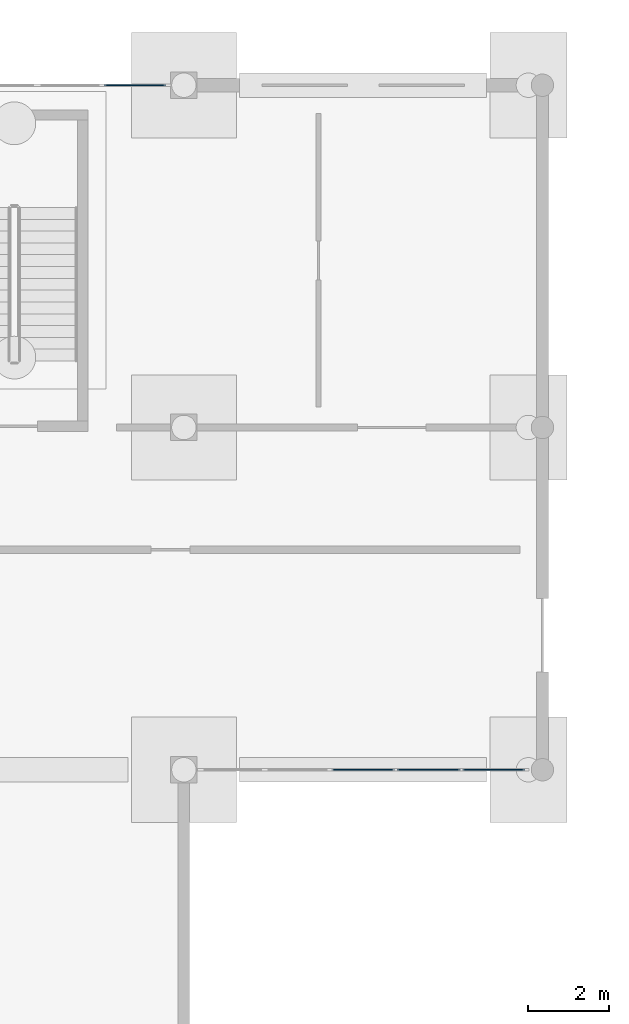
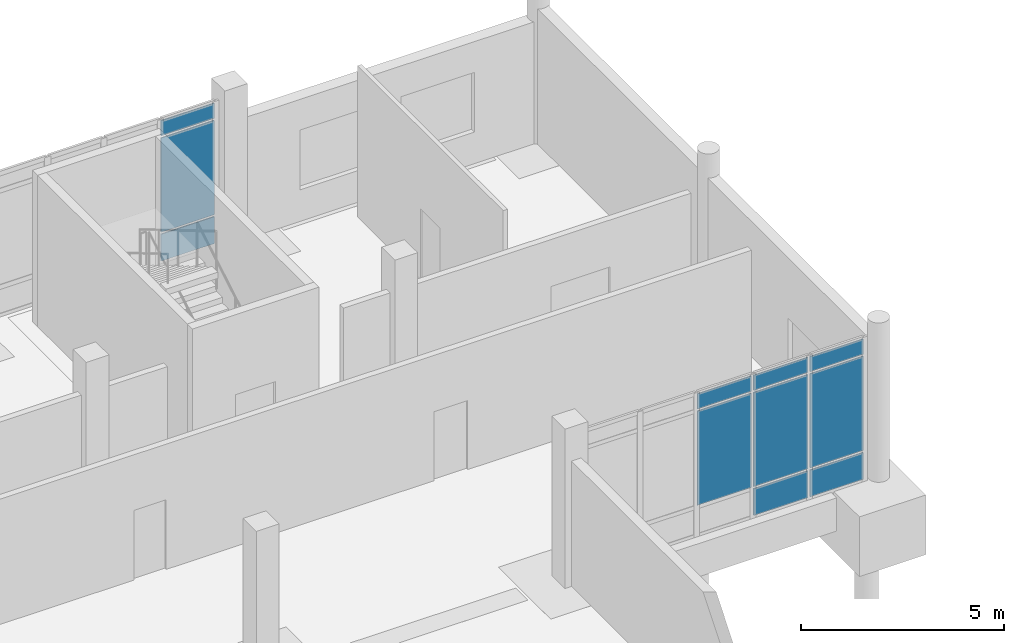
# One storey, part 40 of 72: 11 plates, 2 elements without a shape of their own.
"""IFC4 building model written with IfcOpenShell, lengths in metres."""

from ifc_helpers import new_model, si_unit, direction, frame, origin, origin_2d, place, context, subcontext, project, spatial, rectangle, extrude, material, layer, layer_set, type_object, element, aggregate, save


model = new_model("IFC4")

# Units and contexts
model_context = context("Model", 3, precision=1e-05, world=origin(), true_north=direction((0.0, 1.0)))
body_context = subcontext(model_context, "Body", "Model", "MODEL_VIEW")
ifc_project = project(units=[si_unit("LENGTHUNIT", "METRE"), si_unit("AREAUNIT", "SQUARE_METRE"), si_unit("VOLUMEUNIT", "CUBIC_METRE"), si_unit("PLANEANGLEUNIT", "RADIAN"), si_unit("MASSUNIT", "GRAM", prefix="KILO")], contexts=[model_context])

# Site, building, storey
site_placement = place(None, origin())
site = spatial("IfcSite", under=ifc_project, at=site_placement, CompositionType="ELEMENT")
building_placement = place(site_placement, origin())
building = spatial("IfcBuilding", under=site, at=building_placement, Name="Cinderway Yard Community Centre", CompositionType="ELEMENT")
storey_placement = place(building_placement, origin())
storey = spatial("IfcBuildingStorey", under=building, at=storey_placement, Name="L00", CompositionType="ELEMENT", Elevation=0.0)

# Curtain wall, plates
ifc_material_1 = material(Name="Aluminium 6063-T6", Category="aluminium")
curtain_wall_type = type_object("IfcCurtainWallType", Name="ENV-CW-TYPE-25", PredefinedType="USERDEFINED", material=ifc_material_1)
curtain_wall_1_placement = place(storey_placement, origin())
curtain_wall_1 = element("IfcCurtainWall", 1, at=curtain_wall_1_placement, inside=storey, type_object=curtain_wall_type, Name="V4 Courtyard Curtain Wall ENV-CW-L00-ST-0121", ObjectType="GLAZED CURTAIN WALL", PredefinedType="USERDEFINED")
ifc_material_2 = material(Name="Laminated Low-E Glass", Category="glass")
ifc_layer_1 = layer(ifc_material_2, 0.028076171875, Name="Laminated Low-E Glass")
ifc_layer_set_1 = layer_set([ifc_layer_1], Name="Laminated Low-E Glass")
plate_type_1 = type_object("IfcPlateType", Name="ENV-CW-PAN-IGU28", PredefinedType="CURTAIN_PANEL", material=ifc_layer_set_1)
plate_1_placement = place(storey_placement, frame((141.199951171875, 98.39990234375, 0.93017578125), z_axis=(0.0, 0.0, 1.0), x_axis=(1.0, 0.0, 0.0)))
plate_1 = element("IfcPlate", 2, at=plate_1_placement, type_object=plate_type_1, Name="CW-25 panel 3.2", PredefinedType="CURTAIN_PANEL", context=body_context, shape_type="SweptSolid", body=[
    extrude(rectangle(XDim=1.548095703125, YDim=0.028076171875, at=origin_2d()), origin(), (0.0, 0.0, 1.0), 2.840087890625),
])
plate_2_placement = place(storey_placement, frame((141.199951171875, 98.39990234375, 3.830078125), z_axis=(0.0, 0.0, 1.0), x_axis=(1.0, 0.0, 0.0)))
plate_2 = element("IfcPlate", 3, at=plate_2_placement, type_object=plate_type_1, Name="CW-25 panel 3.3", PredefinedType="CURTAIN_PANEL", context=body_context, shape_type="SweptSolid", body=[
    extrude(rectangle(XDim=1.548095703125, YDim=0.028076171875, at=origin_2d()), origin(), (0.0, 0.0, 1.0), 0.4599609375),
])
plate_3_placement = place(storey_placement, frame((142.80810546875, 98.39990234375, 0.06005859375), z_axis=(0.0, 0.0, 1.0), x_axis=(1.0, 0.0, 0.0)))
plate_3 = element("IfcPlate", 4, at=plate_3_placement, type_object=plate_type_1, Name="CW-25 panel 4.1", PredefinedType="CURTAIN_PANEL", context=body_context, shape_type="SweptSolid", body=[
    extrude(rectangle(XDim=1.548095703125, YDim=0.028076171875, at=origin_2d()), origin(), (0.0, 0.0, 1.0), 0.81005859375),
])
plate_4_placement = place(storey_placement, frame((142.80810546875, 98.39990234375, 0.93017578125), z_axis=(0.0, 0.0, 1.0), x_axis=(1.0, 0.0, 0.0)))
plate_4 = element("IfcPlate", 5, at=plate_4_placement, type_object=plate_type_1, Name="CW-25 panel 4.2", PredefinedType="CURTAIN_PANEL", context=body_context, shape_type="SweptSolid", body=[
    extrude(rectangle(XDim=1.548095703125, YDim=0.028076171875, at=origin_2d()), origin(), (0.0, 0.0, 1.0), 2.840087890625),
])
plate_5_placement = place(storey_placement, frame((142.80810546875, 98.39990234375, 3.830078125), z_axis=(0.0, 0.0, 1.0), x_axis=(1.0, 0.0, 0.0)))
plate_5 = element("IfcPlate", 6, at=plate_5_placement, type_object=plate_type_1, Name="CW-25 panel 4.3", PredefinedType="CURTAIN_PANEL", context=body_context, shape_type="SweptSolid", body=[
    extrude(rectangle(XDim=1.548095703125, YDim=0.028076171875, at=origin_2d()), origin(), (0.0, 0.0, 1.0), 0.4599609375),
])
plate_6_placement = place(storey_placement, frame((144.40087890625, 98.39990234375, 0.06005859375), z_axis=(0.0, 0.0, 1.0), x_axis=(1.0, 0.0, 0.0)))
plate_6 = element("IfcPlate", 7, at=plate_6_placement, type_object=plate_type_1, Name="CW-25 panel 5.1", PredefinedType="CURTAIN_PANEL", context=body_context, shape_type="SweptSolid", body=[
    extrude(rectangle(XDim=1.51806640625, YDim=0.028076171875, at=origin_2d()), origin(), (0.0, 0.0, 1.0), 0.81005859375),
])
plate_7_placement = place(storey_placement, frame((144.40087890625, 98.39990234375, 0.93017578125), z_axis=(0.0, 0.0, 1.0), x_axis=(1.0, 0.0, 0.0)))
plate_7 = element("IfcPlate", 8, at=plate_7_placement, type_object=plate_type_1, Name="CW-25 panel 5.2", PredefinedType="CURTAIN_PANEL", context=body_context, shape_type="SweptSolid", body=[
    extrude(rectangle(XDim=1.51806640625, YDim=0.028076171875, at=origin_2d()), origin(), (0.0, 0.0, 1.0), 2.840087890625),
])
plate_8_placement = place(storey_placement, frame((144.40087890625, 98.39990234375, 3.830078125), z_axis=(0.0, 0.0, 1.0), x_axis=(1.0, 0.0, 0.0)))
plate_8 = element("IfcPlate", 9, at=plate_8_placement, type_object=plate_type_1, Name="CW-25 panel 5.3", PredefinedType="CURTAIN_PANEL", context=body_context, shape_type="SweptSolid", body=[
    extrude(rectangle(XDim=1.51806640625, YDim=0.028076171875, at=origin_2d()), origin(), (0.0, 0.0, 1.0), 0.4599609375),
])
aggregate(curtain_wall_1, [plate_1, plate_2, plate_3, plate_4, plate_5, plate_6, plate_7, plate_8])

curtain_wall_2_placement = place(storey_placement, origin())
curtain_wall_2 = element("IfcCurtainWall", 10, at=curtain_wall_2_placement, inside=storey, type_object=curtain_wall_type, Name="V4 Street Curtain Wall ENV-CW-L00-HS-0120", ObjectType="GLAZED CURTAIN WALL", PredefinedType="USERDEFINED")
ifc_layer_2 = layer(ifc_material_2, 0.031982421875, Name="Laminated Low-E Glass")
ifc_layer_set_2 = layer_set([ifc_layer_2], Name="Laminated Low-E Glass")
plate_type_2 = type_object("IfcPlateType", Name="ENV-CW-PAN-IGU32", PredefinedType="CURTAIN_PANEL", material=ifc_layer_set_2)
plate_9_placement = place(storey_placement, frame((135.60107421875, 115.199951171875, 0.06005859375), z_axis=(0.0, 0.0, 1.0), x_axis=(1.0, 0.0, 0.0)))
plate_9 = element("IfcPlate", 11, at=plate_9_placement, type_object=plate_type_2, Name="CW-25 panel 5.1", PredefinedType="CURTAIN_PANEL", context=body_context, shape_type="SweptSolid", body=[
    extrude(rectangle(XDim=1.51806640625, YDim=0.028076171875, at=origin_2d()), origin(), (0.0, 0.0, 1.0), 0.81005859375),
])
plate_10_placement = place(storey_placement, frame((135.60107421875, 115.199951171875, 0.93017578125), z_axis=(0.0, 0.0, 1.0), x_axis=(1.0, 0.0, 0.0)))
plate_10 = element("IfcPlate", 12, at=plate_10_placement, type_object=plate_type_2, Name="CW-25 panel 5.2", PredefinedType="CURTAIN_PANEL", context=body_context, shape_type="SweptSolid", body=[
    extrude(rectangle(XDim=1.51806640625, YDim=0.028076171875, at=origin_2d()), origin(), (0.0, 0.0, 1.0), 2.840087890625),
])
plate_11_placement = place(storey_placement, frame((135.60107421875, 115.199951171875, 3.830078125), z_axis=(0.0, 0.0, 1.0), x_axis=(1.0, 0.0, 0.0)))
plate_11 = element("IfcPlate", 13, at=plate_11_placement, type_object=plate_type_2, Name="CW-25 panel 5.3", PredefinedType="CURTAIN_PANEL", context=body_context, shape_type="SweptSolid", body=[
    extrude(rectangle(XDim=1.51806640625, YDim=0.028076171875, at=origin_2d()), origin(), (0.0, 0.0, 1.0), 0.4599609375),
])
aggregate(curtain_wall_2, [plate_9, plate_10, plate_11])

save(model, "model.ifc")
